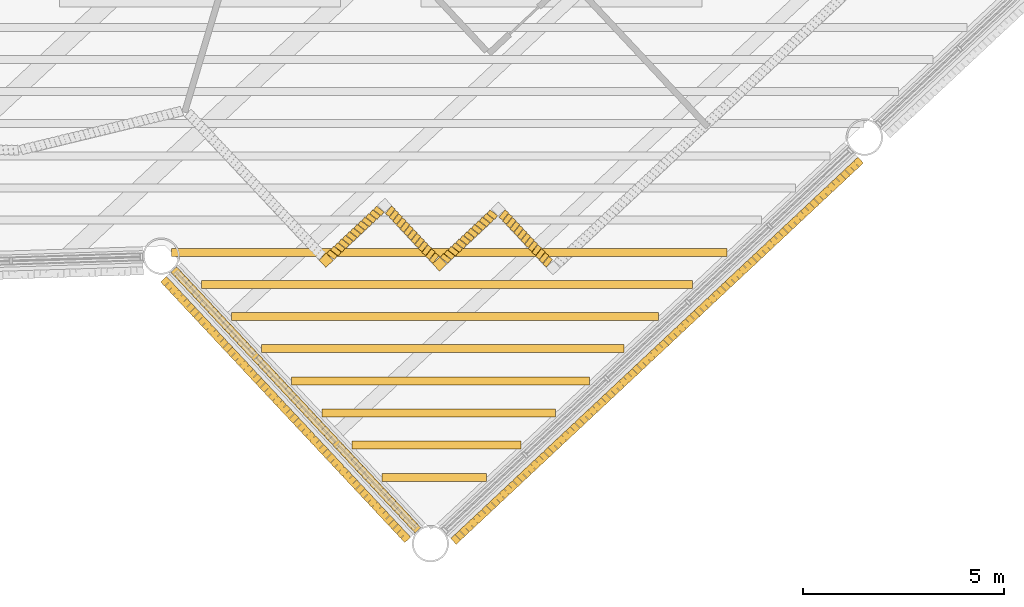
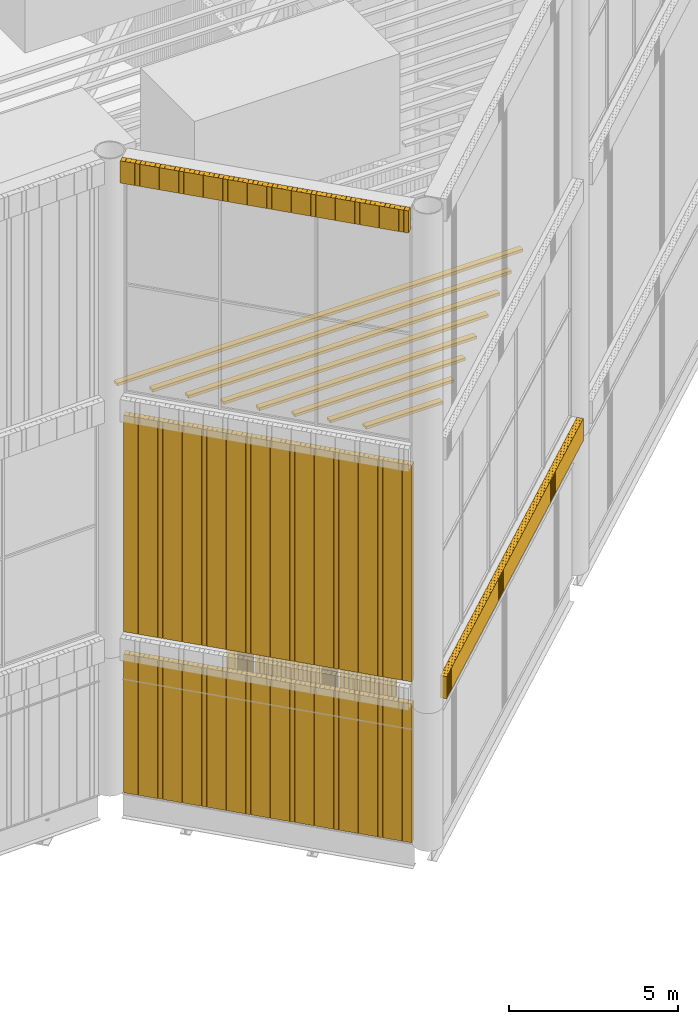
# One storey, part 96 of 117: 14 shading devices, 4 coverings.
"""IFC4 building model written with IfcOpenShell, lengths in metres."""

from ifc_helpers import new_model, si_unit, direction, frame, frame_2d, origin, origin_2d, place, context, subcontext, project, spatial, rectangle, composite_profile, extrude, material, type_object, element, save


model = new_model("IFC4")

# Units and contexts
model_context = context("Model", 3, precision=1e-05, world=origin(), true_north=direction((0.0, 1.0)))
body_context = subcontext(model_context, "Body", "Model", "MODEL_VIEW")
ifc_project = project(units=[si_unit("LENGTHUNIT", "METRE"), si_unit("AREAUNIT", "SQUARE_METRE"), si_unit("VOLUMEUNIT", "CUBIC_METRE"), si_unit("PLANEANGLEUNIT", "RADIAN"), si_unit("MASSUNIT", "GRAM", prefix="KILO")], contexts=[model_context])

# Site, building, storey
site_placement = place(None, origin())
site = spatial("IfcSite", under=ifc_project, at=site_placement, CompositionType="ELEMENT")
building_placement = place(site_placement, origin())
building = spatial("IfcBuilding", under=site, at=building_placement, Name="Tarsis Ring Headquarters", CompositionType="ELEMENT")
storey_placement = place(building_placement, frame((0.0, 0.0, 403.60009765625)))
storey = spatial("IfcBuildingStorey", under=building, at=storey_placement, Name="L95", CompositionType="ELEMENT", Elevation=403.60009765625)

# Coverings
ifc_material_1 = material(Name="Terracotta louvre", Category="masonry")
covering_type = type_object("IfcCoveringType", Name="Crown louvre fin", PredefinedType="CLADDING", material=ifc_material_1)
covering_1_placement = place(storey_placement, frame((6.5947265625, -28.694580078125, 0.0), z_axis=(0.0, 0.0, 1.0), x_axis=(0.683518233743, -0.729926405975, 0.0)))
element("IfcCovering", 1, at=covering_1_placement, inside=storey, type_object=covering_type, Name="Crown louvre base 2", PredefinedType="CLADDING", context=body_context, shape_type="SweptSolid", body=[
    extrude(composite_profile([rectangle(XDim=0.14501953125, YDim=0.199951171875, at=frame_2d((0.072509765625, 0.0))), rectangle(XDim=0.14501953125, YDim=0.199951171875, at=frame_2d((0.223388671875, 0.0))), rectangle(XDim=0.14501953125, YDim=0.199951171875, at=frame_2d((0.3740234375, 0.0))), rectangle(XDim=0.14501953125, YDim=0.199951171875, at=frame_2d((0.52490234375, 0.0))), rectangle(XDim=0.14501953125, YDim=0.199951171875, at=frame_2d((0.675537109375, 0.0))), rectangle(XDim=0.14501953125, YDim=0.199951171875, at=frame_2d((0.826416015625, 0.0))), rectangle(XDim=0.14501953125, YDim=0.199951171875, at=frame_2d((0.977294921875, 0.0))), rectangle(XDim=0.14501953125, YDim=0.199951171875, at=frame_2d((1.1279296875, 0.0))), rectangle(XDim=0.14501953125, YDim=0.199951171875, at=frame_2d((1.27880859375, 0.0))), rectangle(XDim=0.14501953125, YDim=0.199951171875, at=frame_2d((1.4296875, 0.0))), rectangle(XDim=0.14501953125, YDim=0.199951171875, at=frame_2d((1.580322265625, 0.0))), rectangle(XDim=0.14501953125, YDim=0.199951171875, at=frame_2d((1.731201171875, 0.0))), rectangle(XDim=0.14501953125, YDim=0.199951171875, at=frame_2d((1.8818359375, 0.0))), rectangle(XDim=0.14501953125, YDim=0.199951171875, at=frame_2d((2.03271484375, 0.0))), rectangle(XDim=0.14501953125, YDim=0.199951171875, at=frame_2d((2.18359375, 0.0))), rectangle(XDim=0.14501953125, YDim=0.199951171875, at=frame_2d((2.334228515625, 0.0))), rectangle(XDim=0.14501953125, YDim=0.199951171875, at=frame_2d((2.485107421875, 0.0))), rectangle(XDim=0.14501953125, YDim=0.199951171875, at=frame_2d((2.635986328125, 0.0))), rectangle(XDim=0.14501953125, YDim=0.199951171875, at=frame_2d((2.78662109375, 0.0))), rectangle(XDim=0.14501953125, YDim=0.199951171875, at=frame_2d((2.9375, 0.0))), rectangle(XDim=0.14501953125, YDim=0.199951171875, at=frame_2d((3.088134765625, 0.0))), rectangle(XDim=0.14501953125, YDim=0.199951171875, at=frame_2d((3.239013671875, 0.0))), rectangle(XDim=0.14501953125, YDim=0.199951171875, at=frame_2d((3.389892578125, 0.0))), rectangle(XDim=0.14501953125, YDim=0.199951171875, at=frame_2d((3.54052734375, 0.0))), rectangle(XDim=0.14501953125, YDim=0.199951171875, at=frame_2d((3.69140625, 0.0))), rectangle(XDim=0.14501953125, YDim=0.199951171875, at=frame_2d((3.84228515625, 0.0))), rectangle(XDim=0.14501953125, YDim=0.199951171875, at=frame_2d((3.992919921875, 0.0))), rectangle(XDim=0.14501953125, YDim=0.199951171875, at=frame_2d((4.143798828125, 0.0))), rectangle(XDim=0.14501953125, YDim=0.199951171875, at=frame_2d((4.29443359375, 0.0))), rectangle(XDim=0.14501953125, YDim=0.199951171875, at=frame_2d((4.4453125, 0.0))), rectangle(XDim=0.14501953125, YDim=0.199951171875, at=frame_2d((4.59619140625, 0.0))), rectangle(XDim=0.14501953125, YDim=0.199951171875, at=frame_2d((4.746826171875, 0.0))), rectangle(XDim=0.14501953125, YDim=0.199951171875, at=frame_2d((4.897705078125, 0.0))), rectangle(XDim=0.14501953125, YDim=0.199951171875, at=frame_2d((5.04833984375, 0.0))), rectangle(XDim=0.14501953125, YDim=0.199951171875, at=frame_2d((5.19921875, 0.0))), rectangle(XDim=0.14501953125, YDim=0.199951171875, at=frame_2d((5.35009765625, 0.0))), rectangle(XDim=0.14501953125, YDim=0.199951171875, at=frame_2d((5.500732421875, 0.0))), rectangle(XDim=0.14501953125, YDim=0.199951171875, at=frame_2d((5.651611328125, 0.0))), rectangle(XDim=0.14501953125, YDim=0.199951171875, at=frame_2d((5.802490234375, 0.0))), rectangle(XDim=0.14501953125, YDim=0.199951171875, at=frame_2d((5.953125, 0.0))), rectangle(XDim=0.14501953125, YDim=0.199951171875, at=frame_2d((6.10400390625, 0.0))), rectangle(XDim=0.14501953125, YDim=0.199951171875, at=frame_2d((6.254638671875, 0.0))), rectangle(XDim=0.14501953125, YDim=0.199951171875, at=frame_2d((6.405517578125, 0.0))), rectangle(XDim=0.14501953125, YDim=0.199951171875, at=frame_2d((6.556396484375, 0.0))), rectangle(XDim=0.14501953125, YDim=0.199951171875, at=frame_2d((6.70703125, 0.0))), rectangle(XDim=0.14501953125, YDim=0.199951171875, at=frame_2d((6.85791015625, 0.0))), rectangle(XDim=0.14501953125, YDim=0.199951171875, at=frame_2d((7.0087890625, 0.0))), rectangle(XDim=0.14501953125, YDim=0.199951171875, at=frame_2d((7.159423828125, 0.0))), rectangle(XDim=0.14501953125, YDim=0.199951171875, at=frame_2d((7.310302734375, 0.0))), rectangle(XDim=0.14501953125, YDim=0.199951171875, at=frame_2d((7.4609375, 0.0))), rectangle(XDim=0.14501953125, YDim=0.199951171875, at=frame_2d((7.61181640625, 0.0))), rectangle(XDim=0.14501953125, YDim=0.199951171875, at=frame_2d((7.7626953125, 0.0))), rectangle(XDim=0.14501953125, YDim=0.199951171875, at=frame_2d((7.913330078125, 0.0))), rectangle(XDim=0.14501953125, YDim=0.199951171875, at=frame_2d((8.064208984375, 0.0))), rectangle(XDim=0.14501953125, YDim=0.199951171875, at=frame_2d((8.215087890625, 0.0))), rectangle(XDim=0.14501953125, YDim=0.199951171875, at=frame_2d((8.36572265625, 0.0))), rectangle(XDim=0.14501953125, YDim=0.199951171875, at=frame_2d((8.5166015625, 0.0))), rectangle(XDim=0.14501953125, YDim=0.199951171875, at=frame_2d((8.667236328125, 0.0))), rectangle(XDim=0.14501953125, YDim=0.199951171875, at=frame_2d((8.818115234375, 0.0)))]), origin(), (0.0, 0.0, 1.0), 5.0),
])
covering_2_placement = place(storey_placement, frame((13.556640625, -35.460693359375, 5.0), z_axis=(0.0, 0.0, 1.0), x_axis=(0.729925980625, 0.683527612216, 0.0)))
element("IfcCovering", 2, at=covering_2_placement, inside=storey, type_object=covering_type, Name="Crown louvre fascia R3", PredefinedType="CLADDING", context=body_context, shape_type="SweptSolid", body=[
    extrude(composite_profile([rectangle(XDim=0.14501953125, YDim=0.199951171875, at=frame_2d((0.072509765625, 0.0))), rectangle(XDim=0.14501953125, YDim=0.199951171875, at=frame_2d((0.223388671875, 0.0))), rectangle(XDim=0.14501953125, YDim=0.199951171875, at=frame_2d((0.37451171875, 0.0))), rectangle(XDim=0.14501953125, YDim=0.199951171875, at=frame_2d((0.525390625, 0.0))), rectangle(XDim=0.14501953125, YDim=0.199951171875, at=frame_2d((0.676513671875, 0.0))), rectangle(XDim=0.14501953125, YDim=0.199951171875, at=frame_2d((0.827392578125, 0.0))), rectangle(XDim=0.14501953125, YDim=0.199951171875, at=frame_2d((0.978515625, 0.0))), rectangle(XDim=0.14501953125, YDim=0.199951171875, at=frame_2d((1.12939453125, 0.0))), rectangle(XDim=0.14501953125, YDim=0.199951171875, at=frame_2d((1.280517578125, 0.0))), rectangle(XDim=0.14501953125, YDim=0.199951171875, at=frame_2d((1.431396484375, 0.0))), rectangle(XDim=0.14501953125, YDim=0.199951171875, at=frame_2d((1.58251953125, 0.0))), rectangle(XDim=0.14501953125, YDim=0.199951171875, at=frame_2d((1.7333984375, 0.0))), rectangle(XDim=0.14501953125, YDim=0.199951171875, at=frame_2d((1.884521484375, 0.0))), rectangle(XDim=0.14501953125, YDim=0.199951171875, at=frame_2d((2.035400390625, 0.0))), rectangle(XDim=0.14501953125, YDim=0.199951171875, at=frame_2d((2.1865234375, 0.0))), rectangle(XDim=0.14501953125, YDim=0.199951171875, at=frame_2d((2.33740234375, 0.0))), rectangle(XDim=0.14501953125, YDim=0.199951171875, at=frame_2d((2.488525390625, 0.0))), rectangle(XDim=0.14501953125, YDim=0.199951171875, at=frame_2d((2.639404296875, 0.0))), rectangle(XDim=0.14501953125, YDim=0.199951171875, at=frame_2d((2.79052734375, 0.0))), rectangle(XDim=0.14501953125, YDim=0.199951171875, at=frame_2d((2.94140625, 0.0))), rectangle(XDim=0.14501953125, YDim=0.199951171875, at=frame_2d((3.092529296875, 0.0))), rectangle(XDim=0.14501953125, YDim=0.199951171875, at=frame_2d((3.243408203125, 0.0))), rectangle(XDim=0.14501953125, YDim=0.199951171875, at=frame_2d((3.39453125, 0.0))), rectangle(XDim=0.14501953125, YDim=0.199951171875, at=frame_2d((3.54541015625, 0.0))), rectangle(XDim=0.14501953125, YDim=0.199951171875, at=frame_2d((3.696533203125, 0.0))), rectangle(XDim=0.14501953125, YDim=0.199951171875, at=frame_2d((3.847412109375, 0.0))), rectangle(XDim=0.14501953125, YDim=0.199951171875, at=frame_2d((3.99853515625, 0.0))), rectangle(XDim=0.14501953125, YDim=0.199951171875, at=frame_2d((4.1494140625, 0.0))), rectangle(XDim=0.14501953125, YDim=0.199951171875, at=frame_2d((4.300537109375, 0.0))), rectangle(XDim=0.14501953125, YDim=0.199951171875, at=frame_2d((4.451416015625, 0.0))), rectangle(XDim=0.14501953125, YDim=0.199951171875, at=frame_2d((4.6025390625, 0.0))), rectangle(XDim=0.14501953125, YDim=0.199951171875, at=frame_2d((4.75341796875, 0.0))), rectangle(XDim=0.14501953125, YDim=0.199951171875, at=frame_2d((4.904541015625, 0.0))), rectangle(XDim=0.14501953125, YDim=0.199951171875, at=frame_2d((5.055419921875, 0.0))), rectangle(XDim=0.14501953125, YDim=0.199951171875, at=frame_2d((5.20654296875, 0.0))), rectangle(XDim=0.14501953125, YDim=0.199951171875, at=frame_2d((5.357421875, 0.0))), rectangle(XDim=0.14501953125, YDim=0.199951171875, at=frame_2d((5.508544921875, 0.0))), rectangle(XDim=0.14501953125, YDim=0.199951171875, at=frame_2d((5.659423828125, 0.0))), rectangle(XDim=0.14501953125, YDim=0.199951171875, at=frame_2d((5.810546875, 0.0))), rectangle(XDim=0.14501953125, YDim=0.199951171875, at=frame_2d((5.96142578125, 0.0))), rectangle(XDim=0.14501953125, YDim=0.199951171875, at=frame_2d((6.112548828125, 0.0))), rectangle(XDim=0.14501953125, YDim=0.199951171875, at=frame_2d((6.263427734375, 0.0))), rectangle(XDim=0.14501953125, YDim=0.199951171875, at=frame_2d((6.41455078125, 0.0))), rectangle(XDim=0.14501953125, YDim=0.199951171875, at=frame_2d((6.5654296875, 0.0))), rectangle(XDim=0.14501953125, YDim=0.199951171875, at=frame_2d((6.716552734375, 0.0))), rectangle(XDim=0.14501953125, YDim=0.199951171875, at=frame_2d((6.867431640625, 0.0))), rectangle(XDim=0.14501953125, YDim=0.199951171875, at=frame_2d((7.0185546875, 0.0))), rectangle(XDim=0.14501953125, YDim=0.199951171875, at=frame_2d((7.16943359375, 0.0))), rectangle(XDim=0.14501953125, YDim=0.199951171875, at=frame_2d((7.320556640625, 0.0))), rectangle(XDim=0.14501953125, YDim=0.199951171875, at=frame_2d((7.471435546875, 0.0))), rectangle(XDim=0.14501953125, YDim=0.199951171875, at=frame_2d((7.62255859375, 0.0))), rectangle(XDim=0.14501953125, YDim=0.199951171875, at=frame_2d((7.7734375, 0.0))), rectangle(XDim=0.14501953125, YDim=0.199951171875, at=frame_2d((7.924560546875, 0.0))), rectangle(XDim=0.14501953125, YDim=0.199951171875, at=frame_2d((8.075439453125, 0.0))), rectangle(XDim=0.14501953125, YDim=0.199951171875, at=frame_2d((8.2265625, 0.0))), rectangle(XDim=0.14501953125, YDim=0.199951171875, at=frame_2d((8.37744140625, 0.0))), rectangle(XDim=0.14501953125, YDim=0.199951171875, at=frame_2d((8.528564453125, 0.0))), rectangle(XDim=0.14501953125, YDim=0.199951171875, at=frame_2d((8.679443359375, 0.0))), rectangle(XDim=0.14501953125, YDim=0.199951171875, at=frame_2d((8.83056640625, 0.0))), rectangle(XDim=0.14501953125, YDim=0.199951171875, at=frame_2d((8.9814453125, 0.0))), rectangle(XDim=0.14501953125, YDim=0.199951171875, at=frame_2d((9.132568359375, 0.0))), rectangle(XDim=0.14501953125, YDim=0.199951171875, at=frame_2d((9.283447265625, 0.0))), rectangle(XDim=0.14501953125, YDim=0.199951171875, at=frame_2d((9.4345703125, 0.0))), rectangle(XDim=0.14501953125, YDim=0.199951171875, at=frame_2d((9.58544921875, 0.0))), rectangle(XDim=0.14501953125, YDim=0.199951171875, at=frame_2d((9.736572265625, 0.0))), rectangle(XDim=0.14501953125, YDim=0.199951171875, at=frame_2d((9.887451171875, 0.0))), rectangle(XDim=0.14501953125, YDim=0.199951171875, at=frame_2d((10.03857421875, 0.0))), rectangle(XDim=0.14501953125, YDim=0.199951171875, at=frame_2d((10.189453125, 0.0))), rectangle(XDim=0.14501953125, YDim=0.199951171875, at=frame_2d((10.340576171875, 0.0))), rectangle(XDim=0.14501953125, YDim=0.199951171875, at=frame_2d((10.491455078125, 0.0))), rectangle(XDim=0.14501953125, YDim=0.199951171875, at=frame_2d((10.642578125, 0.0))), rectangle(XDim=0.14501953125, YDim=0.199951171875, at=frame_2d((10.79345703125, 0.0))), rectangle(XDim=0.14501953125, YDim=0.199951171875, at=frame_2d((10.944580078125, 0.0))), rectangle(XDim=0.14501953125, YDim=0.199951171875, at=frame_2d((11.095458984375, 0.0))), rectangle(XDim=0.14501953125, YDim=0.199951171875, at=frame_2d((11.24658203125, 0.0))), rectangle(XDim=0.14501953125, YDim=0.199951171875, at=frame_2d((11.3974609375, 0.0))), rectangle(XDim=0.14501953125, YDim=0.199951171875, at=frame_2d((11.548583984375, 0.0))), rectangle(XDim=0.14501953125, YDim=0.199951171875, at=frame_2d((11.699462890625, 0.0))), rectangle(XDim=0.14501953125, YDim=0.199951171875, at=frame_2d((11.8505859375, 0.0))), rectangle(XDim=0.14501953125, YDim=0.199951171875, at=frame_2d((12.00146484375, 0.0))), rectangle(XDim=0.14501953125, YDim=0.199951171875, at=frame_2d((12.152587890625, 0.0))), rectangle(XDim=0.14501953125, YDim=0.199951171875, at=frame_2d((12.303466796875, 0.0))), rectangle(XDim=0.14501953125, YDim=0.199951171875, at=frame_2d((12.45458984375, 0.0))), rectangle(XDim=0.14501953125, YDim=0.199951171875, at=frame_2d((12.60546875, 0.0))), rectangle(XDim=0.14501953125, YDim=0.199951171875, at=frame_2d((12.756591796875, 0.0))), rectangle(XDim=0.14501953125, YDim=0.199951171875, at=frame_2d((12.907470703125, 0.0))), rectangle(XDim=0.14501953125, YDim=0.199951171875, at=frame_2d((13.05859375, 0.0))), rectangle(XDim=0.14501953125, YDim=0.199951171875, at=frame_2d((13.20947265625, 0.0))), rectangle(XDim=0.14501953125, YDim=0.199951171875, at=frame_2d((13.360595703125, 0.0))), rectangle(XDim=0.14501953125, YDim=0.199951171875, at=frame_2d((13.511474609375, 0.0))), rectangle(XDim=0.14501953125, YDim=0.199951171875, at=frame_2d((13.66259765625, 0.0))), rectangle(XDim=0.14501953125, YDim=0.199951171875, at=frame_2d((13.8134765625, 0.0)))]), origin(), (0.0, 0.0, 1.0), 0.7998046875),
])
covering_3_placement = place(storey_placement, frame((6.339111328125, -28.933837890625, 22.199951171875), z_axis=(0.0, 0.0, 1.0), x_axis=(0.683518233743, -0.729926405975, 0.0)))
element("IfcCovering", 3, at=covering_3_placement, inside=storey, type_object=covering_type, Name="Crown louvre fascia T2", PredefinedType="CLADDING", context=body_context, shape_type="SweptSolid", body=[
    extrude(composite_profile([rectangle(XDim=0.14501953125, YDim=0.199951171875, at=frame_2d((0.072509765625, 0.0))), rectangle(XDim=0.14501953125, YDim=0.199951171875, at=frame_2d((0.223388671875, 0.0))), rectangle(XDim=0.14501953125, YDim=0.199951171875, at=frame_2d((0.3740234375, 0.0))), rectangle(XDim=0.14501953125, YDim=0.199951171875, at=frame_2d((0.52490234375, 0.0))), rectangle(XDim=0.14501953125, YDim=0.199951171875, at=frame_2d((0.675537109375, 0.0))), rectangle(XDim=0.14501953125, YDim=0.199951171875, at=frame_2d((0.826416015625, 0.0))), rectangle(XDim=0.14501953125, YDim=0.199951171875, at=frame_2d((0.977294921875, 0.0))), rectangle(XDim=0.14501953125, YDim=0.199951171875, at=frame_2d((1.1279296875, 0.0))), rectangle(XDim=0.14501953125, YDim=0.199951171875, at=frame_2d((1.27880859375, 0.0))), rectangle(XDim=0.14501953125, YDim=0.199951171875, at=frame_2d((1.4296875, 0.0))), rectangle(XDim=0.14501953125, YDim=0.199951171875, at=frame_2d((1.580322265625, 0.0))), rectangle(XDim=0.14501953125, YDim=0.199951171875, at=frame_2d((1.731201171875, 0.0))), rectangle(XDim=0.14501953125, YDim=0.199951171875, at=frame_2d((1.8818359375, 0.0))), rectangle(XDim=0.14501953125, YDim=0.199951171875, at=frame_2d((2.03271484375, 0.0))), rectangle(XDim=0.14501953125, YDim=0.199951171875, at=frame_2d((2.18359375, 0.0))), rectangle(XDim=0.14501953125, YDim=0.199951171875, at=frame_2d((2.334228515625, 0.0))), rectangle(XDim=0.14501953125, YDim=0.199951171875, at=frame_2d((2.485107421875, 0.0))), rectangle(XDim=0.14501953125, YDim=0.199951171875, at=frame_2d((2.635986328125, 0.0))), rectangle(XDim=0.14501953125, YDim=0.199951171875, at=frame_2d((2.78662109375, 0.0))), rectangle(XDim=0.14501953125, YDim=0.199951171875, at=frame_2d((2.9375, 0.0))), rectangle(XDim=0.14501953125, YDim=0.199951171875, at=frame_2d((3.088134765625, 0.0))), rectangle(XDim=0.14501953125, YDim=0.199951171875, at=frame_2d((3.239013671875, 0.0))), rectangle(XDim=0.14501953125, YDim=0.199951171875, at=frame_2d((3.389892578125, 0.0))), rectangle(XDim=0.14501953125, YDim=0.199951171875, at=frame_2d((3.54052734375, 0.0))), rectangle(XDim=0.14501953125, YDim=0.199951171875, at=frame_2d((3.69140625, 0.0))), rectangle(XDim=0.14501953125, YDim=0.199951171875, at=frame_2d((3.84228515625, 0.0))), rectangle(XDim=0.14501953125, YDim=0.199951171875, at=frame_2d((3.992919921875, 0.0))), rectangle(XDim=0.14501953125, YDim=0.199951171875, at=frame_2d((4.143798828125, 0.0))), rectangle(XDim=0.14501953125, YDim=0.199951171875, at=frame_2d((4.29443359375, 0.0))), rectangle(XDim=0.14501953125, YDim=0.199951171875, at=frame_2d((4.4453125, 0.0))), rectangle(XDim=0.14501953125, YDim=0.199951171875, at=frame_2d((4.59619140625, 0.0))), rectangle(XDim=0.14501953125, YDim=0.199951171875, at=frame_2d((4.746826171875, 0.0))), rectangle(XDim=0.14501953125, YDim=0.199951171875, at=frame_2d((4.897705078125, 0.0))), rectangle(XDim=0.14501953125, YDim=0.199951171875, at=frame_2d((5.04833984375, 0.0))), rectangle(XDim=0.14501953125, YDim=0.199951171875, at=frame_2d((5.19921875, 0.0))), rectangle(XDim=0.14501953125, YDim=0.199951171875, at=frame_2d((5.35009765625, 0.0))), rectangle(XDim=0.14501953125, YDim=0.199951171875, at=frame_2d((5.500732421875, 0.0))), rectangle(XDim=0.14501953125, YDim=0.199951171875, at=frame_2d((5.651611328125, 0.0))), rectangle(XDim=0.14501953125, YDim=0.199951171875, at=frame_2d((5.802490234375, 0.0))), rectangle(XDim=0.14501953125, YDim=0.199951171875, at=frame_2d((5.953125, 0.0))), rectangle(XDim=0.14501953125, YDim=0.199951171875, at=frame_2d((6.10400390625, 0.0))), rectangle(XDim=0.14501953125, YDim=0.199951171875, at=frame_2d((6.254638671875, 0.0))), rectangle(XDim=0.14501953125, YDim=0.199951171875, at=frame_2d((6.405517578125, 0.0))), rectangle(XDim=0.14501953125, YDim=0.199951171875, at=frame_2d((6.556396484375, 0.0))), rectangle(XDim=0.14501953125, YDim=0.199951171875, at=frame_2d((6.70703125, 0.0))), rectangle(XDim=0.14501953125, YDim=0.199951171875, at=frame_2d((6.85791015625, 0.0))), rectangle(XDim=0.14501953125, YDim=0.199951171875, at=frame_2d((7.0087890625, 0.0))), rectangle(XDim=0.14501953125, YDim=0.199951171875, at=frame_2d((7.159423828125, 0.0))), rectangle(XDim=0.14501953125, YDim=0.199951171875, at=frame_2d((7.310302734375, 0.0))), rectangle(XDim=0.14501953125, YDim=0.199951171875, at=frame_2d((7.4609375, 0.0))), rectangle(XDim=0.14501953125, YDim=0.199951171875, at=frame_2d((7.61181640625, 0.0))), rectangle(XDim=0.14501953125, YDim=0.199951171875, at=frame_2d((7.7626953125, 0.0))), rectangle(XDim=0.14501953125, YDim=0.199951171875, at=frame_2d((7.913330078125, 0.0))), rectangle(XDim=0.14501953125, YDim=0.199951171875, at=frame_2d((8.064208984375, 0.0))), rectangle(XDim=0.14501953125, YDim=0.199951171875, at=frame_2d((8.215087890625, 0.0))), rectangle(XDim=0.14501953125, YDim=0.199951171875, at=frame_2d((8.36572265625, 0.0))), rectangle(XDim=0.14501953125, YDim=0.199951171875, at=frame_2d((8.5166015625, 0.0))), rectangle(XDim=0.14501953125, YDim=0.199951171875, at=frame_2d((8.667236328125, 0.0))), rectangle(XDim=0.14501953125, YDim=0.199951171875, at=frame_2d((8.818115234375, 0.0)))]), origin(), (0.0, 0.0, 1.0), 0.800048828125),
])
covering_4_placement = place(storey_placement, frame((6.5947265625, -28.694580078125, 5.7998046875), z_axis=(0.0, 0.0, 1.0), x_axis=(0.683518233743, -0.729926405975, 0.0)))
element("IfcCovering", 4, at=covering_4_placement, inside=storey, type_object=covering_type, Name="Crown louvre L2", PredefinedType="CLADDING", context=body_context, shape_type="SweptSolid", body=[
    extrude(composite_profile([rectangle(XDim=0.14501953125, YDim=0.199951171875, at=frame_2d((0.072509765625, 0.0))), rectangle(XDim=0.14501953125, YDim=0.199951171875, at=frame_2d((0.223388671875, 0.0))), rectangle(XDim=0.14501953125, YDim=0.199951171875, at=frame_2d((0.3740234375, 0.0))), rectangle(XDim=0.14501953125, YDim=0.199951171875, at=frame_2d((0.52490234375, 0.0))), rectangle(XDim=0.14501953125, YDim=0.199951171875, at=frame_2d((0.675537109375, 0.0))), rectangle(XDim=0.14501953125, YDim=0.199951171875, at=frame_2d((0.826416015625, 0.0))), rectangle(XDim=0.14501953125, YDim=0.199951171875, at=frame_2d((0.977294921875, 0.0))), rectangle(XDim=0.14501953125, YDim=0.199951171875, at=frame_2d((1.1279296875, 0.0))), rectangle(XDim=0.14501953125, YDim=0.199951171875, at=frame_2d((1.27880859375, 0.0))), rectangle(XDim=0.14501953125, YDim=0.199951171875, at=frame_2d((1.4296875, 0.0))), rectangle(XDim=0.14501953125, YDim=0.199951171875, at=frame_2d((1.580322265625, 0.0))), rectangle(XDim=0.14501953125, YDim=0.199951171875, at=frame_2d((1.731201171875, 0.0))), rectangle(XDim=0.14501953125, YDim=0.199951171875, at=frame_2d((1.8818359375, 0.0))), rectangle(XDim=0.14501953125, YDim=0.199951171875, at=frame_2d((2.03271484375, 0.0))), rectangle(XDim=0.14501953125, YDim=0.199951171875, at=frame_2d((2.18359375, 0.0))), rectangle(XDim=0.14501953125, YDim=0.199951171875, at=frame_2d((2.334228515625, 0.0))), rectangle(XDim=0.14501953125, YDim=0.199951171875, at=frame_2d((2.485107421875, 0.0))), rectangle(XDim=0.14501953125, YDim=0.199951171875, at=frame_2d((2.635986328125, 0.0))), rectangle(XDim=0.14501953125, YDim=0.199951171875, at=frame_2d((2.78662109375, 0.0))), rectangle(XDim=0.14501953125, YDim=0.199951171875, at=frame_2d((2.9375, 0.0))), rectangle(XDim=0.14501953125, YDim=0.199951171875, at=frame_2d((3.088134765625, 0.0))), rectangle(XDim=0.14501953125, YDim=0.199951171875, at=frame_2d((3.239013671875, 0.0))), rectangle(XDim=0.14501953125, YDim=0.199951171875, at=frame_2d((3.389892578125, 0.0))), rectangle(XDim=0.14501953125, YDim=0.199951171875, at=frame_2d((3.54052734375, 0.0))), rectangle(XDim=0.14501953125, YDim=0.199951171875, at=frame_2d((3.69140625, 0.0))), rectangle(XDim=0.14501953125, YDim=0.199951171875, at=frame_2d((3.84228515625, 0.0))), rectangle(XDim=0.14501953125, YDim=0.199951171875, at=frame_2d((3.992919921875, 0.0))), rectangle(XDim=0.14501953125, YDim=0.199951171875, at=frame_2d((4.143798828125, 0.0))), rectangle(XDim=0.14501953125, YDim=0.199951171875, at=frame_2d((4.29443359375, 0.0))), rectangle(XDim=0.14501953125, YDim=0.199951171875, at=frame_2d((4.4453125, 0.0))), rectangle(XDim=0.14501953125, YDim=0.199951171875, at=frame_2d((4.59619140625, 0.0))), rectangle(XDim=0.14501953125, YDim=0.199951171875, at=frame_2d((4.746826171875, 0.0))), rectangle(XDim=0.14501953125, YDim=0.199951171875, at=frame_2d((4.897705078125, 0.0))), rectangle(XDim=0.14501953125, YDim=0.199951171875, at=frame_2d((5.04833984375, 0.0))), rectangle(XDim=0.14501953125, YDim=0.199951171875, at=frame_2d((5.19921875, 0.0))), rectangle(XDim=0.14501953125, YDim=0.199951171875, at=frame_2d((5.35009765625, 0.0))), rectangle(XDim=0.14501953125, YDim=0.199951171875, at=frame_2d((5.500732421875, 0.0))), rectangle(XDim=0.14501953125, YDim=0.199951171875, at=frame_2d((5.651611328125, 0.0))), rectangle(XDim=0.14501953125, YDim=0.199951171875, at=frame_2d((5.802490234375, 0.0))), rectangle(XDim=0.14501953125, YDim=0.199951171875, at=frame_2d((5.953125, 0.0))), rectangle(XDim=0.14501953125, YDim=0.199951171875, at=frame_2d((6.10400390625, 0.0))), rectangle(XDim=0.14501953125, YDim=0.199951171875, at=frame_2d((6.254638671875, 0.0))), rectangle(XDim=0.14501953125, YDim=0.199951171875, at=frame_2d((6.405517578125, 0.0))), rectangle(XDim=0.14501953125, YDim=0.199951171875, at=frame_2d((6.556396484375, 0.0))), rectangle(XDim=0.14501953125, YDim=0.199951171875, at=frame_2d((6.70703125, 0.0))), rectangle(XDim=0.14501953125, YDim=0.199951171875, at=frame_2d((6.85791015625, 0.0))), rectangle(XDim=0.14501953125, YDim=0.199951171875, at=frame_2d((7.0087890625, 0.0))), rectangle(XDim=0.14501953125, YDim=0.199951171875, at=frame_2d((7.159423828125, 0.0))), rectangle(XDim=0.14501953125, YDim=0.199951171875, at=frame_2d((7.310302734375, 0.0))), rectangle(XDim=0.14501953125, YDim=0.199951171875, at=frame_2d((7.4609375, 0.0))), rectangle(XDim=0.14501953125, YDim=0.199951171875, at=frame_2d((7.61181640625, 0.0))), rectangle(XDim=0.14501953125, YDim=0.199951171875, at=frame_2d((7.7626953125, 0.0))), rectangle(XDim=0.14501953125, YDim=0.199951171875, at=frame_2d((7.913330078125, 0.0))), rectangle(XDim=0.14501953125, YDim=0.199951171875, at=frame_2d((8.064208984375, 0.0))), rectangle(XDim=0.14501953125, YDim=0.199951171875, at=frame_2d((8.215087890625, 0.0))), rectangle(XDim=0.14501953125, YDim=0.199951171875, at=frame_2d((8.36572265625, 0.0))), rectangle(XDim=0.14501953125, YDim=0.199951171875, at=frame_2d((8.5166015625, 0.0))), rectangle(XDim=0.14501953125, YDim=0.199951171875, at=frame_2d((8.667236328125, 0.0))), rectangle(XDim=0.14501953125, YDim=0.199951171875, at=frame_2d((8.818115234375, 0.0)))]), origin(), (0.0, 0.0, 1.0), 7.800048828125),
])

# Shading devices
ifc_material_2 = material(Name="Aluminium louvre", Category="aluminium")
shading_device_type_1 = type_object("IfcShadingDeviceType", Name="Crown roof louvre blade", PredefinedType="USERDEFINED", material=ifc_material_2)
shading_device_1_placement = place(storey_placement, frame((13.0810546875, -33.8642578125, 14.39990234375), z_axis=(0.0, 0.0, 1.0), x_axis=(1.0, 0.0, 0.0)))
element("IfcShadingDevice", 5, at=shading_device_1_placement, inside=storey, type_object=shading_device_type_1, Name="Crown roof louvre 1", ObjectType="Crown roof louvre", PredefinedType="USERDEFINED", context=body_context, shape_type="SweptSolid", body=[
    extrude(rectangle(XDim=2.605712890625, YDim=0.199951171875, at=origin_2d()), origin(), (0.0, 0.0, 1.0), 0.10009765625),
])
shading_device_2_placement = place(storey_placement, frame((13.133544921875, -33.064208984375, 14.39990234375), z_axis=(0.0, 0.0, 1.0), x_axis=(1.0, 0.0, 0.0)))
element("IfcShadingDevice", 6, at=shading_device_2_placement, inside=storey, type_object=shading_device_type_1, Name="Crown roof louvre 2", ObjectType="Crown roof louvre", PredefinedType="USERDEFINED", context=body_context, shape_type="SweptSolid", body=[
    extrude(rectangle(XDim=4.208984375, YDim=0.199951171875, at=origin_2d()), origin(), (0.0, 0.0, 1.0), 0.10009765625),
])
shading_device_3_placement = place(storey_placement, frame((13.18603515625, -32.26416015625, 14.39990234375), z_axis=(0.0, 0.0, 1.0), x_axis=(1.0, 0.0, 0.0)))
element("IfcShadingDevice", 7, at=shading_device_3_placement, inside=storey, type_object=shading_device_type_1, Name="Crown roof louvre 4", ObjectType="Crown roof louvre", PredefinedType="USERDEFINED", context=body_context, shape_type="SweptSolid", body=[
    extrude(rectangle(XDim=5.8125, YDim=0.199951171875, at=origin_2d()), origin(), (0.0, 0.0, 1.0), 0.10009765625),
])
shading_device_4_placement = place(storey_placement, frame((13.23876953125, -31.464111328125, 14.39990234375), z_axis=(0.0, 0.0, 1.0), x_axis=(1.0, 0.0, 0.0)))
element("IfcShadingDevice", 8, at=shading_device_4_placement, inside=storey, type_object=shading_device_type_1, Name="Crown roof louvre 6", ObjectType="Crown roof louvre", PredefinedType="USERDEFINED", context=body_context, shape_type="SweptSolid", body=[
    extrude(rectangle(XDim=7.416015625, YDim=0.199951171875, at=origin_2d()), origin(), (0.0, 0.0, 1.0), 0.10009765625),
])
shading_device_5_placement = place(storey_placement, frame((13.291259765625, -30.664306640625, 14.39990234375), z_axis=(0.0, 0.0, 1.0), x_axis=(1.0, 0.0, 0.0)))
element("IfcShadingDevice", 9, at=shading_device_5_placement, inside=storey, type_object=shading_device_type_1, Name="Crown roof louvre 8", ObjectType="Crown roof louvre", PredefinedType="USERDEFINED", context=body_context, shape_type="SweptSolid", body=[
    extrude(rectangle(XDim=9.01953125, YDim=0.199951171875, at=origin_2d()), origin(), (0.0, 0.0, 1.0), 0.10009765625),
])
shading_device_6_placement = place(storey_placement, frame((13.34375, -29.8642578125, 14.39990234375), z_axis=(0.0, 0.0, 1.0), x_axis=(1.0, 0.0, 0.0)))
element("IfcShadingDevice", 10, at=shading_device_6_placement, inside=storey, type_object=shading_device_type_1, Name="Crown roof louvre 10", ObjectType="Crown roof louvre", PredefinedType="USERDEFINED", context=body_context, shape_type="SweptSolid", body=[
    extrude(rectangle(XDim=10.622802734375, YDim=0.199951171875, at=origin_2d()), origin(), (0.0, 0.0, 1.0), 0.10009765625),
])
shading_device_7_placement = place(storey_placement, frame((13.396484375, -29.064208984375, 14.39990234375), z_axis=(0.0, 0.0, 1.0), x_axis=(1.0, 0.0, 0.0)))
element("IfcShadingDevice", 11, at=shading_device_7_placement, inside=storey, type_object=shading_device_type_1, Name="Crown roof louvre 12", ObjectType="Crown roof louvre", PredefinedType="USERDEFINED", context=body_context, shape_type="SweptSolid", body=[
    extrude(rectangle(XDim=12.226318359375, YDim=0.199951171875, at=origin_2d()), origin(), (0.0, 0.0, 1.0), 0.10009765625),
])
shading_device_8_placement = place(storey_placement, frame((13.448974609375, -28.26416015625, 14.39990234375), z_axis=(0.0, 0.0, 1.0), x_axis=(1.0, 0.0, 0.0)))
element("IfcShadingDevice", 12, at=shading_device_8_placement, inside=storey, type_object=shading_device_type_1, Name="Crown roof louvre 15", ObjectType="Crown roof louvre", PredefinedType="USERDEFINED", context=body_context, shape_type="SweptSolid", body=[
    extrude(rectangle(XDim=13.829833984375, YDim=0.199951171875, at=origin_2d()), origin(), (0.0, 0.0, 1.0), 0.10009765625),
])
shading_device_type_2 = type_object("IfcShadingDeviceType", Name="Plant louvre fin", PredefinedType="USERDEFINED", material=ifc_material_2)
for number, where, z_axis, x_axis, name in (
    (13, (10.476806640625, -28.378173828125, 0.0), (0.0, 0.0, 1.0), (0.729910714286, 0.68359375, 0.0), "Louvre L95-07"),
    (14, (11.930908203125, -27.187744140625, 0.0), (0.0, 0.0, 1.0), (0.683454241071, -0.729910714286, 0.0), "Louvre L95-08"),
    (15, (13.3037109375, -28.470947265625, 0.0), (0.0, 0.0, 1.0), (0.729910714286, 0.68359375, 0.0), "Louvre L95-09"),
    (16, (14.7578125, -27.280517578125, 0.0), (0.0, 0.0, 1.0), (0.683454241071, -0.729910714286, 0.0), "Louvre L95-10"),
):
    element("IfcShadingDevice", number, at=place(storey_placement, frame(where, z_axis=z_axis, x_axis=x_axis)), inside=storey, type_object=shading_device_type_2, Name=name, ObjectType="Louvre", PredefinedType="USERDEFINED", context=body_context, shape_type="SweptSolid", body=[
        extrude(composite_profile([rectangle(XDim=0.1201171875, YDim=0.239990234375, at=frame_2d((0.078125, 0.0), x_axis=(0.987688340595, 0.15643446504))), rectangle(XDim=0.1201171875, YDim=0.239990234375, at=frame_2d((0.2109375, 0.0), x_axis=(0.987688340595, 0.15643446504))), rectangle(XDim=0.1201171875, YDim=0.239990234375, at=frame_2d((0.34375, 0.0), x_axis=(0.987688340595, 0.15643446504))), rectangle(XDim=0.1201171875, YDim=0.239990234375, at=frame_2d((0.4765625, 0.0), x_axis=(0.987688340595, 0.15643446504))), rectangle(XDim=0.1201171875, YDim=0.239990234375, at=frame_2d((0.609375, 0.0), x_axis=(0.987688340595, 0.15643446504))), rectangle(XDim=0.1201171875, YDim=0.239990234375, at=frame_2d((0.7421875, 0.0), x_axis=(0.987688340595, 0.15643446504))), rectangle(XDim=0.1201171875, YDim=0.239990234375, at=frame_2d((0.875, 0.0), x_axis=(0.987688340595, 0.15643446504))), rectangle(XDim=0.1201171875, YDim=0.239990234375, at=frame_2d((1.0078125, 0.0), x_axis=(0.987688340595, 0.15643446504))), rectangle(XDim=0.1201171875, YDim=0.239990234375, at=frame_2d((1.140625, 0.0), x_axis=(0.987688340595, 0.15643446504))), rectangle(XDim=0.1201171875, YDim=0.239990234375, at=frame_2d((1.2734375, 0.0), x_axis=(0.987688340595, 0.15643446504))), rectangle(XDim=0.1201171875, YDim=0.239990234375, at=frame_2d((1.40625, 0.0), x_axis=(0.987688340595, 0.15643446504))), rectangle(XDim=0.1201171875, YDim=0.239990234375, at=frame_2d((1.5390625, 0.0), x_axis=(0.987688340595, 0.15643446504))), rectangle(XDim=0.1201171875, YDim=0.239990234375, at=frame_2d((1.671875, 0.0), x_axis=(0.987688340595, 0.15643446504)))]), origin(), (0.0, 0.0, 1.0), 4.699951171875),
    ])
ifc_material_3 = material(Name="Terracotta baguette", Category="masonry")
shading_device_type_3 = type_object("IfcShadingDeviceType", Name="Terracotta corner baguette 250x250", PredefinedType="USERDEFINED", material=ifc_material_3)
for number, where, z_axis, x_axis, name in (
    (17, (10.385498046875, -28.463623046875, 0.0), (0.0, 0.0, 1.0), (0.683528644983, -0.729923688811, 0.0), "Corner baguette L95-07"),
    (18, (13.21240234375, -28.556396484375, 0.0), (0.0, 0.0, 1.0), (0.683528683202, -0.729923653022, 0.0), "Corner baguette L95-09"),
):
    element("IfcShadingDevice", number, at=place(storey_placement, frame(where, z_axis=z_axis, x_axis=x_axis)), inside=storey, type_object=shading_device_type_3, Name=name, ObjectType="Terracotta corner baguette", PredefinedType="USERDEFINED", context=body_context, shape_type="SweptSolid", body=[
        extrude(rectangle(XDim=0.25, YDim=0.25, at=origin_2d()), origin(), (0.0, 0.0, 1.0), 4.699951171875),
    ])

save(model, "model.ifc")
